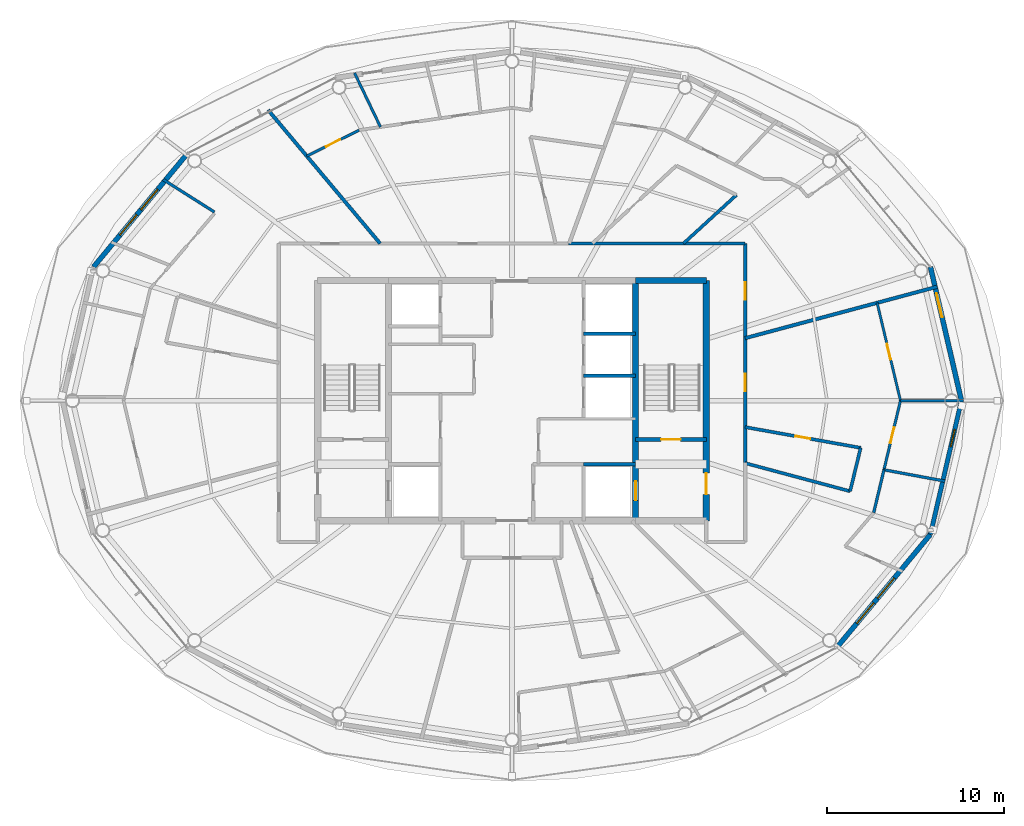
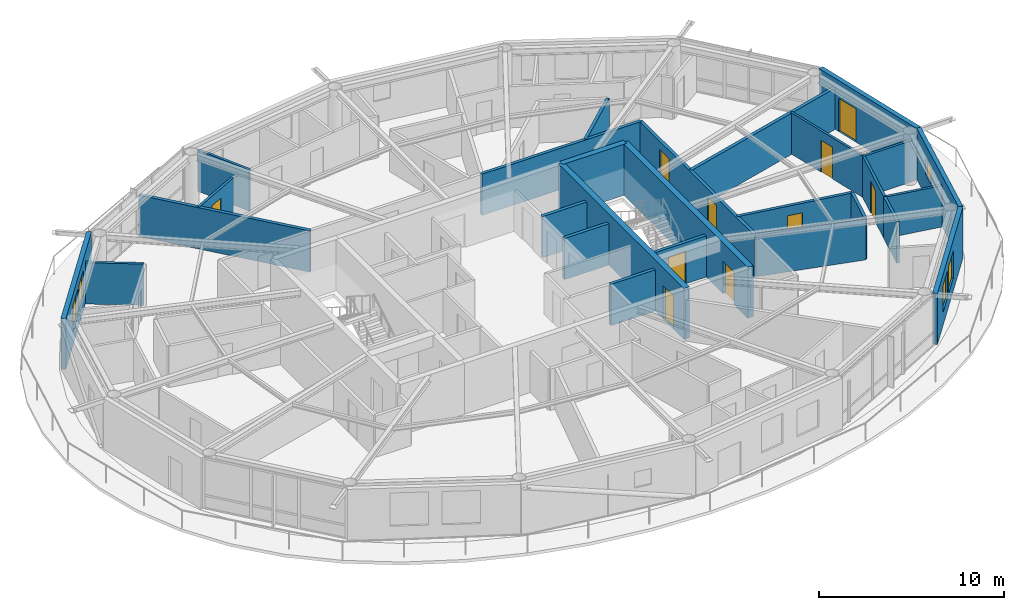
# One storey, part 18 of 23: 27 walls, 10 doors, 5 windows, 15 openings.
"""IFC4 building model written with IfcOpenShell, lengths in metres."""

from ifc_helpers import new_model, si_unit, direction, frame, frame_2d, origin, place, context, subcontext, project, spatial, rectangle, extrude, material, layer, layer_set, type_object, element, fill, save


model = new_model("IFC4")

# Units and contexts
model_context = context("Model", 3, precision=1e-05, world=origin(), true_north=direction((0.0, 1.0)))
body_context = subcontext(model_context, "Body", "Model", "MODEL_VIEW")
ifc_project = project(units=[si_unit("LENGTHUNIT", "METRE"), si_unit("AREAUNIT", "SQUARE_METRE"), si_unit("VOLUMEUNIT", "CUBIC_METRE"), si_unit("PLANEANGLEUNIT", "RADIAN"), si_unit("MASSUNIT", "GRAM", prefix="KILO")], contexts=[model_context])

# Site, building, storey
site_placement = place(None, origin())
site = spatial("IfcSite", under=ifc_project, at=site_placement, CompositionType="ELEMENT")
building_placement = place(site_placement, origin())
building = spatial("IfcBuilding", under=site, at=building_placement, Name="Sarneth Arch Tower", CompositionType="ELEMENT")
storey_placement = place(building_placement, frame((0.0, 0.0, 269.39990234375)))
storey = spatial("IfcBuildingStorey", under=building, at=storey_placement, Name="L69", CompositionType="ELEMENT", Elevation=269.39990234375)

# Wall
ifc_material_1 = material(Name="Concrete C50/60", Category="concrete")
ifc_layer_1 = layer(ifc_material_1, 0.35009765625)
ifc_layer_set_1 = layer_set([ifc_layer_1], Name="Concrete C50/60")
wall_type_1 = type_object("IfcWallType", Name="WALL-CORE-350", PredefinedType="SHEAR", material=ifc_layer_set_1)
wall_1_placement = place(storey_placement, frame((55.0, 48.800048828125, 0.0), z_axis=(0.0, 0.0, 1.0), x_axis=(1.0, 0.0, 0.0)))
element("IfcWall", 1, at=wall_1_placement, inside=storey, type_object=wall_type_1, Name="L69 Core shear wall N-E", PredefinedType="SHEAR", context=body_context, shape_type="SweptSolid", body=[
    extrude(rectangle(XDim=4.0, YDim=0.35009765625, at=frame_2d((2.0, 0.0))), origin(), (0.0, 0.0, 1.0), 3.3701171875),
])

# Wall, opening, door
wall_2_placement = place(storey_placement, frame((59.0, 35.199951171875, 0.0), z_axis=(0.0, 0.0, 1.0), x_axis=(0.0, 1.0, 0.0)))
wall_2 = element("IfcWall", 2, at=wall_2_placement, inside=storey, type_object=wall_type_1, Name="L69 Core shear wall E", PredefinedType="SHEAR", context=body_context, shape_type="SweptSolid", body=[
    extrude(rectangle(XDim=13.60009765625, YDim=0.35009765625, at=frame_2d((6.800048828125, 0.0))), origin(), (0.0, 0.0, 1.0), 3.3701171875),
])
opening_1_placement = place(wall_2_placement, frame((1.5, 0.0, 0.0)))
opening_1 = element("IfcOpeningElement", 3, at=opening_1_placement, cuts=wall_2, Name="Opening FD-02", PredefinedType="OPENING", context=body_context, shape_type="SweptSolid", body=[
    extrude(rectangle(XDim=1.199951171875, YDim=2.14990234375, at=frame_2d((0.60009765625, 1.074951171875))), frame((0.0, 0.18505859375, 0.0), z_axis=(0.0, -1.0, 0.0), x_axis=(1.0, 0.0, 0.0)), (0.0, 0.0, 1.0), 0.3701171875),
])
ifc_material_2 = material(Name="Galvanised Steel S275 fire door set", Category="steel")
door_type_1 = type_object("IfcDoorType", Name="DR-FD90-1200", OperationType="SINGLE_SWING_LEFT", PredefinedType="DOOR", material=ifc_material_2)
door_1_placement = place(opening_1_placement, origin())
door_1 = element("IfcDoor", 4, at=door_1_placement, inside=storey, type_object=door_type_1, Name="L69 Firefighting lobby 2 exit door", OperationType="SINGLE_SWING_RIGHT", OverallHeight=2.14990234375, OverallWidth=1.199951171875, PredefinedType="DOOR", context=body_context, shape_type="SweptSolid", body=[
    extrude(rectangle(XDim=1.199951171875, YDim=2.14990234375, at=frame_2d((0.60009765625, 1.074951171875))), frame((0.0, 0.02490234375, 0.0), z_axis=(0.0, -1.0, 0.0), x_axis=(1.0, 0.0, 0.0)), (0.0, 0.0, 1.0), 0.050048828125),
])
fill(opening_1, door_1)

wall_3_placement = place(storey_placement, frame((55.0, 35.199951171875, 0.0), z_axis=(0.0, 0.0, 1.0), x_axis=(0.0, 1.0, 0.0)))
wall_3 = element("IfcWall", 5, at=wall_3_placement, inside=storey, type_object=wall_type_1, Name="L69 Core shear wall WEB-E", PredefinedType="SHEAR", context=body_context, shape_type="SweptSolid", body=[
    extrude(rectangle(XDim=13.60009765625, YDim=0.35009765625, at=frame_2d((6.800048828125, 0.0))), origin(), (0.0, 0.0, 1.0), 3.3701171875),
])
opening_2_placement = place(wall_3_placement, frame((1.14990234375, 0.0, 0.0)))
opening_2 = element("IfcOpeningElement", 6, at=opening_2_placement, cuts=wall_3, Name="Opening LD-1", PredefinedType="OPENING", context=body_context, shape_type="SweptSolid", body=[
    extrude(rectangle(XDim=1.10009765625, YDim=2.199951171875, at=frame_2d((0.550048828125, 1.10009765625))), frame((0.0, 0.18505859375, 0.0), z_axis=(0.0, -1.0, 0.0), x_axis=(1.0, 0.0, 0.0)), (0.0, 0.0, 1.0), 0.3701171875),
])
ifc_material_3 = material(Name="Brushed Stainless Steel 304 lift landing door", Category="steel")
door_type_2 = type_object("IfcDoorType", Name="DR-LIFT-SLIDE-1100", OperationType="SLIDING_TO_LEFT", PredefinedType="DOOR", material=ifc_material_3)
door_2_placement = place(opening_2_placement, origin())
door_2 = element("IfcDoor", 7, at=door_2_placement, inside=storey, type_object=door_type_2, Name="L69 Firefighting lift landing door FL-2", OperationType="SLIDING_TO_RIGHT", OverallHeight=2.199951171875, OverallWidth=1.10009765625, PredefinedType="DOOR", context=body_context, shape_type="SweptSolid", body=[
    extrude(rectangle(XDim=1.10009765625, YDim=2.199951171875, at=frame_2d((0.550048828125, 1.10009765625))), frame((0.0, 0.02490234375, 0.0), z_axis=(0.0, -1.0, 0.0), x_axis=(1.0, 0.0, 0.0)), (0.0, 0.0, 1.0), 0.050048828125),
])
fill(opening_2, door_2)

# Wall, openings, doors
ifc_material_4 = material(Name="Double steel-stud corridor fire wall", Category="steel")
ifc_layer_2 = layer(ifc_material_4, 0.18994140625)
ifc_layer_set_2 = layer_set([ifc_layer_2], Name="Double steel-stud corridor fire wall")
wall_type_2 = type_object("IfcWallType", Name="WALL-CORR-190", PredefinedType="PARTITIONING", material=ifc_layer_set_2)
wall_4_placement = place(storey_placement, frame((61.199951171875, 50.89990234375, 0.0), z_axis=(0.0, 0.0, 1.0), x_axis=(0.0, -1.0, 0.0)))
wall_4 = element("IfcWall", 8, at=wall_4_placement, inside=storey, type_object=wall_type_2, Name="L69 Interior partition W-L69-TP-003", PredefinedType="PARTITIONING", context=body_context, shape_type="SweptSolid", body=[
    extrude(rectangle(XDim=12.469970703125, YDim=0.18994140625, at=frame_2d((6.23486328125, 0.0))), origin(), (0.0, 0.0, 1.0), 2.72998046875),
])
opening_3_placement = place(wall_4_placement, frame((2.197998046875, 0.0, 0.0)))
opening_3 = element("IfcOpeningElement", 9, at=opening_3_placement, cuts=wall_4, Name="Opening FD-08", PredefinedType="OPENING", context=body_context, shape_type="SweptSolid", body=[
    extrude(rectangle(XDim=1.0, YDim=2.199951171875, at=frame_2d((0.5, 1.10009765625))), frame((0.0, 0.10498046875, 0.0), z_axis=(0.0, -1.0, 0.0), x_axis=(1.0, 0.0, 0.0)), (0.0, 0.0, 1.0), 0.2099609375),
])
opening_4_placement = place(wall_4_placement, frame((7.3798828125, 0.0, 0.0)))
opening_4 = element("IfcOpeningElement", 10, at=opening_4_placement, cuts=wall_4, Name="Opening FD-08", PredefinedType="OPENING", context=body_context, shape_type="SweptSolid", body=[
    extrude(rectangle(XDim=1.0, YDim=2.199951171875, at=frame_2d((0.5, 1.10009765625))), frame((0.0, 0.10498046875, 0.0), z_axis=(0.0, -1.0, 0.0), x_axis=(1.0, 0.0, 0.0)), (0.0, 0.0, 1.0), 0.2099609375),
])
ifc_material_5 = material(Name="Hardwood timber acoustic fire door", Category="wood")
door_type_3 = type_object("IfcDoorType", Name="DR-FD60-1000", OperationType="SINGLE_SWING_LEFT", PredefinedType="DOOR", material=ifc_material_5)
door_3_placement = place(opening_3_placement, origin())
door_3 = element("IfcDoor", 11, at=door_3_placement, inside=storey, type_object=door_type_3, Name="L69 Interior door DR-L69-U1-ENT", OperationType="SINGLE_SWING_LEFT", OverallHeight=2.199951171875, OverallWidth=1.0, PredefinedType="DOOR", context=body_context, shape_type="SweptSolid", body=[
    extrude(rectangle(XDim=1.0, YDim=2.199951171875, at=frame_2d((0.5, 1.10009765625))), frame((0.0, 0.02490234375, 0.0), z_axis=(0.0, -1.0, 0.0), x_axis=(1.0, 0.0, 0.0)), (0.0, 0.0, 1.0), 0.050048828125),
])
fill(opening_3, door_3)
door_4_placement = place(opening_4_placement, origin())
door_4 = element("IfcDoor", 12, at=door_4_placement, inside=storey, type_object=door_type_3, Name="L69 Interior door DR-L69-U6-ENT", OperationType="SINGLE_SWING_RIGHT", OverallHeight=2.199951171875, OverallWidth=1.0, PredefinedType="DOOR", context=body_context, shape_type="SweptSolid", body=[
    extrude(rectangle(XDim=1.0, YDim=2.199951171875, at=frame_2d((0.5, 1.10009765625))), frame((0.0, 0.02490234375, 0.0), z_axis=(0.0, -1.0, 0.0), x_axis=(1.0, 0.0, 0.0)), (0.0, 0.0, 1.0), 0.050048828125),
])
fill(opening_4, door_4)

# Wall
wall_5_placement = place(storey_placement, frame((51.205078125, 50.89990234375, 0.0), z_axis=(0.0, 0.0, 1.0), x_axis=(1.0, 0.0, 0.0)))
element("IfcWall", 13, at=wall_5_placement, inside=storey, type_object=wall_type_2, Name="L69 Interior partition W-L69-TP-004", PredefinedType="PARTITIONING", context=body_context, shape_type="SweptSolid", body=[
    extrude(rectangle(XDim=9.994873046875, YDim=0.18994140625, at=frame_2d((4.99755859375, 0.0))), origin(), (0.0, 0.0, 1.0), 2.72998046875),
])

# Wall, opening, window
ifc_material_6 = material(Name="Extruded terracotta rainscreen on Concrete C40/50 backing", Category="masonry")
ifc_layer_3 = layer(ifc_material_6, 0.25)
ifc_layer_set_3 = layer_set([ifc_layer_3], Name="Extruded terracotta rainscreen on Concrete C40/50 backing")
wall_type_3 = type_object("IfcWallType", Name="WALL-EXT-SPAND-250", PredefinedType="SOLIDWALL", material=ifc_layer_set_3)
wall_6_placement = place(storey_placement, frame((71.69384765625, 34.430419921875, 0.0), z_axis=(0.0, 0.0, 1.0), x_axis=(0.225635078214, 0.974211892495, 0.0)))
wall_6 = element("IfcWall", 14, at=wall_6_placement, inside=storey, type_object=wall_type_3, Name="L69 Terracotta perimeter wall 16", PredefinedType="SOLIDWALL", context=body_context, shape_type="SweptSolid", body=[
    extrude(rectangle(XDim=7.77001953125, YDim=0.25, at=frame_2d((3.885009765625, 0.0))), origin(), (0.0, 0.0, 1.0), 3.3701171875),
])
opening_5_placement = place(wall_6_placement, frame((5.09130859375, 0.0, 1.419921875)))
opening_5 = element("IfcOpeningElement", 15, at=opening_5_placement, cuts=wall_6, Name="Opening W-14", PredefinedType="OPENING", context=body_context, shape_type="SweptSolid", body=[
    extrude(rectangle(XDim=1.0, YDim=1.050048828125, at=frame_2d((0.5, 0.52490234375))), frame((0.0, 0.135009765625, 0.0), z_axis=(0.0, -1.0, 0.0), x_axis=(1.0, 0.0, 0.0)), (0.0, 0.0, 1.0), 0.27001953125),
])
ifc_material_7 = material(Name="Thermally broken Aluminium 6063-T6 and low-e laminated IGU", Category="aluminium")
window_type_1 = type_object("IfcWindowType", Name="WIN-TWR-1000x1050", PartitioningType="SINGLE_PANEL", PredefinedType="WINDOW", material=ifc_material_7)
window_1_placement = place(opening_5_placement, origin())
window_1 = element("IfcWindow", 16, at=window_1_placement, inside=storey, type_object=window_type_1, Name="L69 Dwelling bedroom window 05", OverallHeight=1.050048828125, OverallWidth=1.0, PartitioningType="SINGLE_PANEL", PredefinedType="WINDOW", context=body_context, shape_type="SweptSolid", body=[
    extrude(rectangle(XDim=1.0, YDim=1.050048828125, at=frame_2d((0.5, 0.52490234375))), frame((0.0, 0.030029296875, 0.0), z_axis=(0.0, -1.0, 0.0), x_axis=(1.0, 0.0, 0.0)), (0.0, 0.0, 1.0), 0.06005859375),
])
fill(opening_5, window_1)

# Wall, opening, door
ifc_material_8 = material(Name="Extruded terracotta rainscreen on Concrete C40/50 backing", Category="masonry")
ifc_layer_4 = layer(ifc_material_8, 0.280029296875)
ifc_layer_set_4 = layer_set([ifc_layer_4], Name="Extruded terracotta rainscreen on Concrete C40/50 backing")
wall_type_4 = type_object("IfcWallType", Name="WALL-EXT-TERRA-280", PredefinedType="SOLIDWALL", material=ifc_layer_set_4)
wall_7_placement = place(storey_placement, frame((73.447021484375, 42.0, 0.0), z_axis=(0.0, 0.0, 1.0), x_axis=(-0.225635078214, 0.974211892495, 0.0)))
wall_7 = element("IfcWall", 17, at=wall_7_placement, inside=storey, type_object=wall_type_4, Name="L69 Terracotta perimeter wall 01", PredefinedType="SOLIDWALL", context=body_context, shape_type="SweptSolid", body=[
    extrude(rectangle(XDim=7.77001953125, YDim=0.280029296875, at=frame_2d((3.885009765625, 0.0))), origin(), (0.0, 0.0, 1.0), 3.3701171875),
])
opening_6_placement = place(wall_7_placement, frame((4.842041015625, 0.0, 0.0)))
opening_6 = element("IfcOpeningElement", 18, at=opening_6_placement, cuts=wall_7, Name="Opening BD-2", PredefinedType="OPENING", context=body_context, shape_type="SweptSolid", body=[
    extrude(rectangle(XDim=1.39990234375, YDim=2.199951171875, at=frame_2d((0.699951171875, 1.10009765625))), frame((0.0, 0.14990234375, 0.0), z_axis=(0.0, -1.0, 0.0), x_axis=(1.0, 0.0, 0.0)), (0.0, 0.0, 1.0), 0.300048828125),
])
ifc_material_9 = material(Name="Thermally broken Aluminium 6063-T6 and laminated safety glass", Category="aluminium")
door_type_4 = type_object("IfcDoorType", Name="DR-BALC-GLZ-1400", OperationType="SINGLE_SWING_LEFT", PredefinedType="DOOR", material=ifc_material_9)
door_5_placement = place(opening_6_placement, origin())
door_5 = element("IfcDoor", 19, at=door_5_placement, inside=storey, type_object=door_type_4, Name="L69 Balcony glazed door 01", OperationType="SINGLE_SWING_LEFT", OverallHeight=2.199951171875, OverallWidth=1.39990234375, PredefinedType="DOOR", context=body_context, shape_type="SweptSolid", body=[
    extrude(rectangle(XDim=1.39990234375, YDim=2.199951171875, at=frame_2d((0.699951171875, 1.10009765625))), frame((0.0, 0.02490234375, 0.0), z_axis=(0.0, -1.0, 0.0), x_axis=(1.0, 0.0, 0.0)), (0.0, 0.0, 1.0), 0.050048828125),
])
fill(opening_6, door_5)

# Wall, openings, windows
wall_8_placement = place(storey_placement, frame((29.617431640625, 55.986572265625, 0.0), z_axis=(0.0, 0.0, 1.0), x_axis=(-0.63761509934, -0.770355103243, 0.0)))
wall_8 = element("IfcWall", 20, at=wall_8_placement, inside=storey, type_object=wall_type_4, Name="L69 Terracotta perimeter wall 07", PredefinedType="SOLIDWALL", context=body_context, shape_type="SweptSolid", body=[
    extrude(rectangle(XDim=8.329833984375, YDim=0.280029296875, at=frame_2d((4.1650390625, 0.0))), origin(), (0.0, 0.0, 1.0), 3.3701171875),
])
opening_7_placement = place(wall_8_placement, frame((2.62060546875, 0.0, 0.85009765625)))
opening_7 = element("IfcOpeningElement", 21, at=opening_7_placement, cuts=wall_8, Name="Opening W-07", PredefinedType="OPENING", context=body_context, shape_type="SweptSolid", body=[
    extrude(rectangle(XDim=1.5, YDim=1.800048828125, at=frame_2d((0.75, 0.89990234375))), frame((0.0, 0.14990234375, 0.0), z_axis=(0.0, -1.0, 0.0), x_axis=(1.0, 0.0, 0.0)), (0.0, 0.0, 1.0), 0.300048828125),
])
opening_8_placement = place(wall_8_placement, frame((4.488037109375, 0.0, 0.85009765625)))
opening_8 = element("IfcOpeningElement", 22, at=opening_8_placement, cuts=wall_8, Name="Opening W-07", PredefinedType="OPENING", context=body_context, shape_type="SweptSolid", body=[
    extrude(rectangle(XDim=1.5, YDim=1.800048828125, at=frame_2d((0.75, 0.89990234375))), frame((0.0, 0.14990234375, 0.0), z_axis=(0.0, -1.0, 0.0), x_axis=(1.0, 0.0, 0.0)), (0.0, 0.0, 1.0), 0.300048828125),
])
ifc_material_10 = material(Name="Thermally broken Aluminium 6063-T6 and low-e laminated IGU", Category="aluminium")
window_type_2 = type_object("IfcWindowType", Name="WIN-TWR-1500x1800", PartitioningType="SINGLE_PANEL", PredefinedType="WINDOW", material=ifc_material_10)
window_2_placement = place(opening_7_placement, origin())
window_2 = element("IfcWindow", 23, at=window_2_placement, inside=storey, type_object=window_type_2, Name="L69 Exterior window 07A", OverallHeight=1.800048828125, OverallWidth=1.5, PartitioningType="SINGLE_PANEL", PredefinedType="WINDOW", context=body_context, shape_type="SweptSolid", body=[
    extrude(rectangle(XDim=1.5, YDim=1.800048828125, at=frame_2d((0.75, 0.89990234375))), frame((0.0, 0.030029296875, 0.0), z_axis=(0.0, -1.0, 0.0), x_axis=(1.0, 0.0, 0.0)), (0.0, 0.0, 1.0), 0.06005859375),
])
fill(opening_7, window_2)
window_3_placement = place(opening_8_placement, origin())
window_3 = element("IfcWindow", 24, at=window_3_placement, inside=storey, type_object=window_type_2, Name="L69 Exterior window 07B", OverallHeight=1.800048828125, OverallWidth=1.5, PartitioningType="SINGLE_PANEL", PredefinedType="WINDOW", context=body_context, shape_type="SweptSolid", body=[
    extrude(rectangle(XDim=1.5, YDim=1.800048828125, at=frame_2d((0.75, 0.89990234375))), frame((0.0, 0.030029296875, 0.0), z_axis=(0.0, -1.0, 0.0), x_axis=(1.0, 0.0, 0.0)), (0.0, 0.0, 1.0), 0.06005859375),
])
fill(opening_8, window_3)

wall_9_placement = place(storey_placement, frame((66.382568359375, 28.013427734375, 0.0), z_axis=(0.0, 0.0, 1.0), x_axis=(0.63761509934, 0.770355103243, 0.0)))
wall_9 = element("IfcWall", 25, at=wall_9_placement, inside=storey, type_object=wall_type_4, Name="L69 Terracotta perimeter wall 15", PredefinedType="SOLIDWALL", context=body_context, shape_type="SweptSolid", body=[
    extrude(rectangle(XDim=8.329833984375, YDim=0.280029296875, at=frame_2d((4.1650390625, 0.0))), origin(), (0.0, 0.0, 1.0), 3.3701171875),
])
opening_9_placement = place(wall_9_placement, frame((1.78857421875, 0.0, 0.85009765625)))
opening_9 = element("IfcOpeningElement", 26, at=opening_9_placement, cuts=wall_9, Name="Opening W-07", PredefinedType="OPENING", context=body_context, shape_type="SweptSolid", body=[
    extrude(rectangle(XDim=1.5, YDim=1.800048828125, at=frame_2d((0.75, 0.89990234375))), frame((0.0, 0.14990234375, 0.0), z_axis=(0.0, -1.0, 0.0), x_axis=(1.0, 0.0, 0.0)), (0.0, 0.0, 1.0), 0.300048828125),
])
opening_10_placement = place(wall_9_placement, frame((3.62109375, 0.0, 0.85009765625)))
opening_10 = element("IfcOpeningElement", 27, at=opening_10_placement, cuts=wall_9, Name="Opening W-07", PredefinedType="OPENING", context=body_context, shape_type="SweptSolid", body=[
    extrude(rectangle(XDim=1.5, YDim=1.800048828125, at=frame_2d((0.75, 0.89990234375))), frame((0.0, 0.14990234375, 0.0), z_axis=(0.0, -1.0, 0.0), x_axis=(1.0, 0.0, 0.0)), (0.0, 0.0, 1.0), 0.300048828125),
])
window_4_placement = place(opening_9_placement, origin())
window_4 = element("IfcWindow", 28, at=window_4_placement, inside=storey, type_object=window_type_2, Name="L69 Exterior window 15A", OverallHeight=1.800048828125, OverallWidth=1.5, PartitioningType="SINGLE_PANEL", PredefinedType="WINDOW", context=body_context, shape_type="SweptSolid", body=[
    extrude(rectangle(XDim=1.5, YDim=1.800048828125, at=frame_2d((0.75, 0.89990234375))), frame((0.0, 0.030029296875, 0.0), z_axis=(0.0, -1.0, 0.0), x_axis=(1.0, 0.0, 0.0)), (0.0, 0.0, 1.0), 0.06005859375),
])
fill(opening_9, window_4)
window_5_placement = place(opening_10_placement, origin())
window_5 = element("IfcWindow", 29, at=window_5_placement, inside=storey, type_object=window_type_2, Name="L69 Exterior window 15B", OverallHeight=1.800048828125, OverallWidth=1.5, PartitioningType="SINGLE_PANEL", PredefinedType="WINDOW", context=body_context, shape_type="SweptSolid", body=[
    extrude(rectangle(XDim=1.5, YDim=1.800048828125, at=frame_2d((0.75, 0.89990234375))), frame((0.0, 0.030029296875, 0.0), z_axis=(0.0, -1.0, 0.0), x_axis=(1.0, 0.0, 0.0)), (0.0, 0.0, 1.0), 0.06005859375),
])
fill(opening_10, window_5)

# Wall, opening, door
ifc_material_11 = material(Name="Apartment internal stud partition", Category="gypsum")
ifc_layer_5 = layer(ifc_material_11, 0.139892578125)
ifc_layer_set_5 = layer_set([ifc_layer_5], Name="Apartment internal stud partition")
wall_type_5 = type_object("IfcWallType", Name="WALL-PART-140", PredefinedType="PARTITIONING", material=ifc_layer_set_5)
wall_10_placement = place(storey_placement, frame((68.67333984375, 47.539306640625, 0.0), z_axis=(0.0, 0.0, 1.0), x_axis=(0.232304342064, -0.972643147644, 0.0)))
wall_10 = element("IfcWall", 30, at=wall_10_placement, inside=storey, type_object=wall_type_5, Name="L69 Interior partition W-L69-TP-094", PredefinedType="PARTITIONING", context=body_context, shape_type="SweptSolid", body=[
    extrude(rectangle(XDim=5.695068359375, YDim=0.139892578125, at=frame_2d((2.84765625, 0.0))), origin(), (0.0, 0.0, 1.0), 2.72998046875),
])
opening_11_placement = place(wall_10_placement, frame((2.397705078125, 0.0, 0.0)))
opening_11 = element("IfcOpeningElement", 31, at=opening_11_placement, cuts=wall_10, Name="Opening ID-01", PredefinedType="OPENING", context=body_context, shape_type="SweptSolid", body=[
    extrude(rectangle(XDim=0.89990234375, YDim=2.10009765625, at=frame_2d((0.449951171875, 1.050048828125))), frame((0.0, 0.079833984375, 0.0), z_axis=(0.0, -1.0, 0.0), x_axis=(1.0, 0.0, 0.0)), (0.0, 0.0, 1.0), 0.159912109375),
])
ifc_material_12 = material(Name="Engineered hardwood flush door", Category="wood")
door_type_5 = type_object("IfcDoorType", Name="DR-INT-900", OperationType="SINGLE_SWING_LEFT", PredefinedType="DOOR", material=ifc_material_12)
door_6_placement = place(opening_11_placement, origin())
door_6 = element("IfcDoor", 32, at=door_6_placement, inside=storey, type_object=door_type_5, Name="L69 Interior door DR-L69-U6-BED2", OperationType="SINGLE_SWING_RIGHT", OverallHeight=2.10009765625, OverallWidth=0.89990234375, PredefinedType="DOOR", context=body_context, shape_type="SweptSolid", body=[
    extrude(rectangle(XDim=0.89990234375, YDim=2.10009765625, at=frame_2d((0.449951171875, 1.050048828125))), frame((0.0, 0.02490234375, 0.0), z_axis=(0.0, -1.0, 0.0), x_axis=(1.0, 0.0, 0.0)), (0.0, 0.0, 1.0), 0.050048828125),
])
fill(opening_11, door_6)

ifc_material_13 = material(Name="Acoustic gypsum stud partition", Category="gypsum")
ifc_layer_6 = layer(ifc_material_13, 0.14990234375)
ifc_layer_set_6 = layer_set([ifc_layer_6], Name="Acoustic gypsum stud partition")
wall_type_6 = type_object("IfcWallType", Name="WALL-PART-150", PredefinedType="PARTITIONING", material=ifc_layer_set_6)
wall_11_placement = place(storey_placement, frame((69.06103515625, 38.08447265625, 0.0), z_axis=(0.0, 0.0, 1.0), x_axis=(0.232333768072, 0.972636119118, 0.0)))
wall_11 = element("IfcWall", 33, at=wall_11_placement, inside=storey, type_object=wall_type_6, Name="L69 Interior partition W-L69-TP-093", PredefinedType="PARTITIONING", context=body_context, shape_type="SweptSolid", body=[
    extrude(rectangle(XDim=4.025634765625, YDim=0.14990234375, at=frame_2d((2.0126953125, 0.0))), origin(), (0.0, 0.0, 1.0), 2.72998046875),
])
opening_12_placement = place(wall_11_placement, frame((1.56298828125, 0.0, 0.0)))
opening_12 = element("IfcOpeningElement", 34, at=opening_12_placement, cuts=wall_11, Name="Opening ID-01", PredefinedType="OPENING", context=body_context, shape_type="SweptSolid", body=[
    extrude(rectangle(XDim=0.89990234375, YDim=2.10009765625, at=frame_2d((0.449951171875, 1.050048828125))), frame((0.0, 0.0849609375, 0.0), z_axis=(0.0, -1.0, 0.0), x_axis=(1.0, 0.0, 0.0)), (0.0, 0.0, 1.0), 0.169921875),
])
door_7_placement = place(opening_12_placement, origin())
door_7 = element("IfcDoor", 35, at=door_7_placement, inside=storey, type_object=door_type_5, Name="L69 Interior door DR-L69-U6-BED1", OperationType="SINGLE_SWING_LEFT", OverallHeight=2.10009765625, OverallWidth=0.89990234375, PredefinedType="DOOR", context=body_context, shape_type="SweptSolid", body=[
    extrude(rectangle(XDim=0.89990234375, YDim=2.10009765625, at=frame_2d((0.449951171875, 1.050048828125))), frame((0.0, 0.02490234375, 0.0), z_axis=(0.0, -1.0, 0.0), x_axis=(1.0, 0.0, 0.0)), (0.0, 0.0, 1.0), 0.050048828125),
])
fill(opening_12, door_7)

# Walls
wall_12_placement = place(storey_placement, frame((69.996337890625, 42.0, 0.0), z_axis=(0.0, 0.0, 1.0), x_axis=(1.0, 0.0, 0.0)))
element("IfcWall", 36, at=wall_12_placement, inside=storey, type_object=wall_type_6, Name="L69 Interior partition W-L69-TP-096", PredefinedType="PARTITIONING", context=body_context, shape_type="SweptSolid", body=[
    extrude(rectangle(XDim=3.570556640625, YDim=0.14990234375, at=frame_2d((1.78515625, 0.0))), origin(), (0.0, 0.0, 1.0), 2.72998046875),
])
wall_13_placement = place(storey_placement, frame((40.5537109375, 57.494140625, 0.0), z_axis=(0.0, 0.0, 1.0), x_axis=(-0.433125990105, 0.901333388206, 0.0)))
element("IfcWall", 37, at=wall_13_placement, inside=storey, type_object=wall_type_6, Name="L69 Interior partition W-L69-TP-054", PredefinedType="PARTITIONING", context=body_context, shape_type="SweptSolid", body=[
    extrude(rectangle(XDim=3.396240234375, YDim=0.14990234375, at=frame_2d((1.6982421875, 0.0))), origin(), (0.0, 0.0, 1.0), 2.72998046875),
])

# Wall, opening, door
wall_14_placement = place(storey_placement, frame((36.3818359375, 55.845947265625, 0.0), z_axis=(0.0, 0.0, 1.0), x_axis=(0.895604637563, 0.444850911177, 0.0)))
wall_14 = element("IfcWall", 38, at=wall_14_placement, inside=storey, type_object=wall_type_6, Name="L69 Interior partition W-L69-TP-049", PredefinedType="PARTITIONING", context=body_context, shape_type="SweptSolid", body=[
    extrude(rectangle(XDim=3.308837890625, YDim=0.14990234375, at=frame_2d((1.654296875, 0.0))), origin(), (0.0, 0.0, 1.0), 2.72998046875),
])
opening_13_placement = place(wall_14_placement, frame((1.204345703125, 0.0, 0.0)))
opening_13 = element("IfcOpeningElement", 39, at=opening_13_placement, cuts=wall_14, Name="Opening ID-01", PredefinedType="OPENING", context=body_context, shape_type="SweptSolid", body=[
    extrude(rectangle(XDim=0.89990234375, YDim=2.10009765625, at=frame_2d((0.449951171875, 1.050048828125))), frame((0.0, 0.0849609375, 0.0), z_axis=(0.0, -1.0, 0.0), x_axis=(1.0, 0.0, 0.0)), (0.0, 0.0, 1.0), 0.169921875),
])
door_8_placement = place(opening_13_placement, origin())
door_8 = element("IfcDoor", 40, at=door_8_placement, inside=storey, type_object=door_type_5, Name="L69 Interior door DR-L69-U2-BED3", OperationType="SINGLE_SWING_LEFT", OverallHeight=2.10009765625, OverallWidth=0.89990234375, PredefinedType="DOOR", context=body_context, shape_type="SweptSolid", body=[
    extrude(rectangle(XDim=0.89990234375, YDim=2.10009765625, at=frame_2d((0.449951171875, 1.050048828125))), frame((0.0, 0.02490234375, 0.0), z_axis=(0.0, -1.0, 0.0), x_axis=(1.0, 0.0, 0.0)), (0.0, 0.0, 1.0), 0.050048828125),
])
fill(opening_13, door_8)

# Walls
ifc_material_14 = material(Name="Kitchen wet service chase wall", Category="gypsum")
ifc_layer_7 = layer(ifc_material_14, 0.159912109375)
ifc_layer_set_7 = layer_set([ifc_layer_7], Name="Kitchen wet service chase wall")
wall_type_7 = type_object("IfcWallType", Name="WALL-PLUMB-160", PredefinedType="PLUMBINGWALL", material=ifc_layer_set_7)
wall_15_placement = place(storey_placement, frame((72.514404296875, 37.4423828125, 0.0), z_axis=(0.0, 0.0, 1.0), x_axis=(-0.983150389917, 0.182798552526, 0.0)))
element("IfcWall", 41, at=wall_15_placement, inside=storey, type_object=wall_type_7, Name="L69 Interior partition W-L69-TP-095", PredefinedType="PLUMBINGWALL", context=body_context, shape_type="SweptSolid", body=[
    extrude(rectangle(XDim=3.512451171875, YDim=0.159912109375, at=frame_2d((1.75634765625, 0.0))), origin(), (0.0, 0.0, 1.0), 2.72998046875),
])
wall_16_placement = place(storey_placement, frame((28.24853515625, 54.519287109375, 0.0), z_axis=(0.0, 0.0, 1.0), x_axis=(0.844643402302, -0.535329359318, 0.0)))
element("IfcWall", 42, at=wall_16_placement, inside=storey, type_object=wall_type_7, Name="L69 Interior partition W-L69-TP-058", PredefinedType="PLUMBINGWALL", context=body_context, shape_type="SweptSolid", body=[
    extrude(rectangle(XDim=3.43505859375, YDim=0.159912109375, at=frame_2d((1.717529296875, 0.0))), origin(), (0.0, 0.0, 1.0), 2.72998046875),
])
wall_17_placement = place(storey_placement, frame((68.48095703125, 35.655029296875, 0.0), z_axis=(0.0, 0.0, 1.0), x_axis=(0.232241557879, 0.972658140764, 0.0)))
element("IfcWall", 43, at=wall_17_placement, inside=storey, type_object=wall_type_7, Name="L69 Interior partition W-L69-TP-089", PredefinedType="PLUMBINGWALL", context=body_context, shape_type="SweptSolid", body=[
    extrude(rectangle(XDim=2.497802734375, YDim=0.159912109375, at=frame_2d((1.2490234375, 0.0))), origin(), (0.0, 0.0, 1.0), 2.72998046875),
])

# Wall, opening, door
ifc_material_15 = material(Name="Moisture-resistant plumbing chase wall", Category="gypsum")
ifc_layer_8 = layer(ifc_material_15, 0.179931640625)
ifc_layer_set_8 = layer_set([ifc_layer_8], Name="Moisture-resistant plumbing chase wall")
wall_type_8 = type_object("IfcWallType", Name="WALL-PLUMB-180", PredefinedType="PLUMBINGWALL", material=ifc_layer_set_8)
wall_18_placement = place(storey_placement, frame((61.199951171875, 40.502685546875, 0.0), z_axis=(0.0, 0.0, 1.0), x_axis=(0.984255481107, -0.176751656034, 0.0)))
wall_18 = element("IfcWall", 44, at=wall_18_placement, inside=storey, type_object=wall_type_8, Name="L69 Interior partition W-L69-TP-090", PredefinedType="PLUMBINGWALL", context=body_context, shape_type="SweptSolid", body=[
    extrude(rectangle(XDim=6.646728515625, YDim=0.179931640625, at=frame_2d((3.3232421875, 0.0))), origin(), (0.0, 0.0, 1.0), 2.72998046875),
])
opening_14_placement = place(wall_18_placement, frame((2.898193359375, 0.0, 0.0)))
opening_14 = element("IfcOpeningElement", 45, at=opening_14_placement, cuts=wall_18, Name="Opening ID-02", PredefinedType="OPENING", context=body_context, shape_type="SweptSolid", body=[
    extrude(rectangle(XDim=0.85009765625, YDim=2.10009765625, at=frame_2d((0.425048828125, 1.050048828125))), frame((0.0, 0.099853515625, 0.0), z_axis=(0.0, -1.0, 0.0), x_axis=(1.0, 0.0, 0.0)), (0.0, 0.0, 1.0), 0.199951171875),
])
ifc_material_16 = material(Name="Moisture-resistant bathroom timber door", Category="wood")
door_type_6 = type_object("IfcDoorType", Name="DR-INT-850", OperationType="SINGLE_SWING_RIGHT", PredefinedType="DOOR", material=ifc_material_16)
door_9_placement = place(opening_14_placement, origin())
door_9 = element("IfcDoor", 46, at=door_9_placement, inside=storey, type_object=door_type_6, Name="L69 Interior door DR-L69-U6-BATH", OperationType="SINGLE_SWING_RIGHT", OverallHeight=2.10009765625, OverallWidth=0.85009765625, PredefinedType="DOOR", context=body_context, shape_type="SweptSolid", body=[
    extrude(rectangle(XDim=0.85009765625, YDim=2.10009765625, at=frame_2d((0.425048828125, 1.050048828125))), frame((0.0, 0.02490234375, 0.0), z_axis=(0.0, -1.0, 0.0), x_axis=(1.0, 0.0, 0.0)), (0.0, 0.0, 1.0), 0.050048828125),
])
fill(opening_14, door_9)

# Walls
wall_19_placement = place(storey_placement, frame((67.143798828125, 36.87060546875, 0.0), z_axis=(0.0, 0.0, 1.0), x_axis=(-0.965930696626, 0.258800868073, 0.0)))
element("IfcWall", 47, at=wall_19_placement, inside=storey, type_object=wall_type_8, Name="L69 Interior partition W-L69-TP-092", PredefinedType="PLUMBINGWALL", context=body_context, shape_type="SweptSolid", body=[
    extrude(rectangle(XDim=6.153564453125, YDim=0.179931640625, at=frame_2d((3.07666015625, 0.0))), origin(), (0.0, 0.0, 1.0), 2.72998046875),
])
wall_20_placement = place(storey_placement, frame((60.711181640625, 53.647705078125, 0.0), z_axis=(0.0, 0.0, 1.0), x_axis=(-0.737258783223, -0.675610454745, 0.0)))
element("IfcWall", 48, at=wall_20_placement, inside=storey, type_object=wall_type_8, Name="L69 Interior partition W-L69-TP-031", PredefinedType="PLUMBINGWALL", context=body_context, shape_type="SweptSolid", body=[
    extrude(rectangle(XDim=4.067138671875, YDim=0.179931640625, at=frame_2d((2.03369140625, 0.0))), origin(), (0.0, 0.0, 1.0), 2.72998046875),
])
wall_21_placement = place(storey_placement, frame((67.741943359375, 39.327880859375, 0.0), z_axis=(0.0, 0.0, 1.0), x_axis=(-0.236511691524, -0.971628642935, 0.0)))
element("IfcWall", 49, at=wall_21_placement, inside=storey, type_object=wall_type_8, Name="L69 Interior partition W-L69-TP-091", PredefinedType="PLUMBINGWALL", context=body_context, shape_type="SweptSolid", body=[
    extrude(rectangle(XDim=2.529052734375, YDim=0.179931640625, at=frame_2d((1.2646484375, 0.0))), origin(), (0.0, 0.0, 1.0), 2.72998046875),
])

# Wall, opening, door
ifc_material_17 = material(Name="Aerated concrete blockwork C25/30", Category="masonry")
ifc_layer_9 = layer(ifc_material_17, 0.199951171875)
ifc_layer_set_9 = layer_set([ifc_layer_9], Name="Aerated concrete blockwork C25/30")
wall_type_9 = type_object("IfcWallType", Name="WALL-SHAFT-200", PredefinedType="SOLIDWALL", material=ifc_layer_set_9)
wall_22_placement = place(storey_placement, frame((55.0, 39.800048828125, 0.0), z_axis=(0.0, 0.0, 1.0), x_axis=(1.0, 0.0, 0.0)))
wall_22 = element("IfcWall", 50, at=wall_22_placement, inside=storey, type_object=wall_type_9, Name="L69 Interior partition W-L69-ST2-S", PredefinedType="SOLIDWALL", context=body_context, shape_type="SweptSolid", body=[
    extrude(rectangle(XDim=4.0, YDim=0.199951171875, at=frame_2d((2.0, 0.0))), origin(), (0.0, 0.0, 1.0), 2.72998046875),
])
opening_15_placement = place(wall_22_placement, frame((1.449951171875, 0.0, 0.0)))
opening_15 = element("IfcOpeningElement", 51, at=opening_15_placement, cuts=wall_22, Name="Opening FD-03", PredefinedType="OPENING", context=body_context, shape_type="SweptSolid", body=[
    extrude(rectangle(XDim=1.10009765625, YDim=2.14990234375, at=frame_2d((0.550048828125, 1.074951171875))), frame((0.0, 0.10986328125, 0.0), z_axis=(0.0, -1.0, 0.0), x_axis=(1.0, 0.0, 0.0)), (0.0, 0.0, 1.0), 0.219970703125),
])
ifc_material_18 = material(Name="Galvanised Steel S275 fire door set", Category="steel")
door_type_7 = type_object("IfcDoorType", Name="DR-FD90-1100", OperationType="SINGLE_SWING_LEFT", PredefinedType="DOOR", material=ifc_material_18)
door_10_placement = place(opening_15_placement, origin())
door_10 = element("IfcDoor", 52, at=door_10_placement, inside=storey, type_object=door_type_7, Name="L69 Interior door DR-L69-ST2", OperationType="SINGLE_SWING_RIGHT", OverallHeight=2.14990234375, OverallWidth=1.10009765625, PredefinedType="DOOR", context=body_context, shape_type="SweptSolid", body=[
    extrude(rectangle(XDim=1.10009765625, YDim=2.14990234375, at=frame_2d((0.550048828125, 1.074951171875))), frame((0.0, 0.02490234375, 0.0), z_axis=(0.0, -1.0, 0.0), x_axis=(1.0, 0.0, 0.0)), (0.0, 0.0, 1.0), 0.050048828125),
])
fill(opening_15, door_10)

# Walls
for number, where, z_axis, x_axis, name in (
    (53, (52.050048828125, 38.39990234375, 0.0), (0.0, 0.0, 1.0), (1.0, 0.0, 0.0), "L69 Interior partition W-L69-FL2-N"),
    (54, (52.050048828125, 43.419921875, 0.0), (0.0, 0.0, 1.0), (1.0, 0.0, 0.0), "L69 Interior partition W-L69-EB-DIV-4342"),
    (55, (52.050048828125, 45.800048828125, 0.0), (0.0, 0.0, 1.0), (1.0, 0.0, 0.0), "L69 Interior partition W-L69-EB-DIV-4580"),
):
    element("IfcWall", number, at=place(storey_placement, frame(where, z_axis=z_axis, x_axis=x_axis)), inside=storey, type_object=wall_type_9, Name=name, PredefinedType="SOLIDWALL", context=body_context, shape_type="SweptSolid", body=[
        extrude(rectangle(XDim=2.949951171875, YDim=0.199951171875, at=frame_2d((1.47509765625, 0.0))), origin(), (0.0, 0.0, 1.0), 2.72998046875),
    ])
ifc_material_19 = material(Name="Double steel-stud acoustic drywall", Category="steel")
ifc_layer_10 = layer(ifc_material_19, 0.199951171875)
ifc_layer_set_10 = layer_set([ifc_layer_10], Name="Double steel-stud acoustic drywall")
wall_type_10 = type_object("IfcWallType", Name="WALL-UNIT-200", PredefinedType="PARTITIONING", material=ifc_layer_set_10)
wall_23_placement = place(storey_placement, frame((72.075927734375, 48.451171875, 0.0), z_axis=(0.0, 0.0, 1.0), x_axis=(-0.965923661364, -0.258827124578, 0.0)))
element("IfcWall", 56, at=wall_23_placement, inside=storey, type_object=wall_type_10, Name="L69 Interior partition W-L69-TP-037", PredefinedType="PARTITIONING", context=body_context, shape_type="SweptSolid", body=[
    extrude(rectangle(XDim=11.259765625, YDim=0.199951171875, at=frame_2d((5.6298828125, 0.0))), origin(), (0.0, 0.0, 1.0), 2.72998046875),
])
wall_24_placement = place(storey_placement, frame((40.531982421875, 50.89990234375, 0.0), z_axis=(0.0, 0.0, 1.0), x_axis=(-0.642777155779, 0.766053214868, 0.0)))
element("IfcWall", 57, at=wall_24_placement, inside=storey, type_object=wall_type_10, Name="L69 Interior partition W-L69-TP-051", PredefinedType="PARTITIONING", context=body_context, shape_type="SweptSolid", body=[
    extrude(rectangle(XDim=9.868408203125, YDim=0.199951171875, at=frame_2d((4.93408203125, 0.0))), origin(), (0.0, 0.0, 1.0), 2.72998046875),
])

save(model, "model.ifc")
